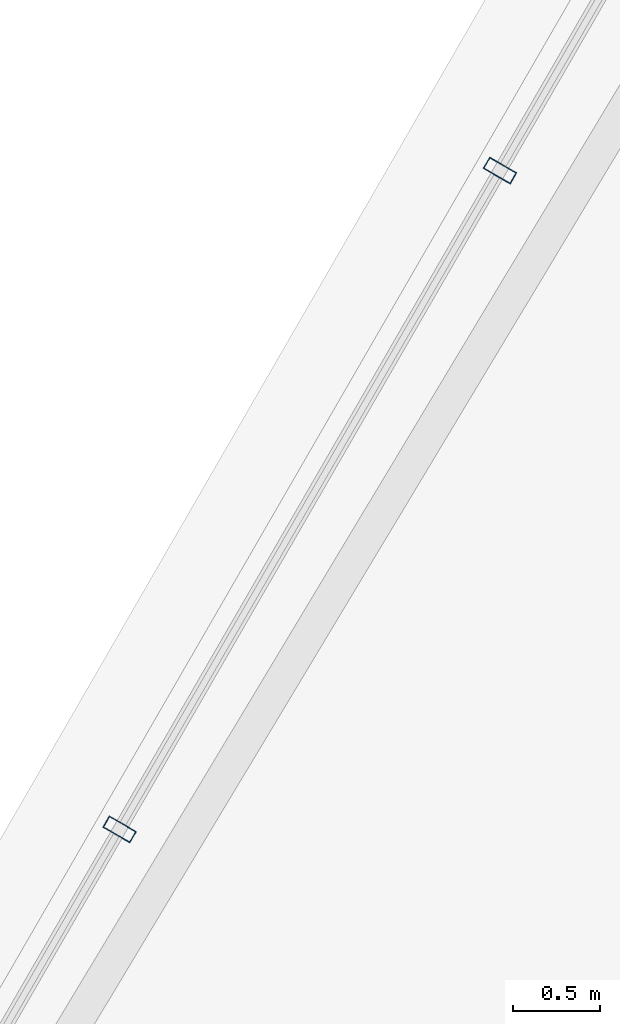
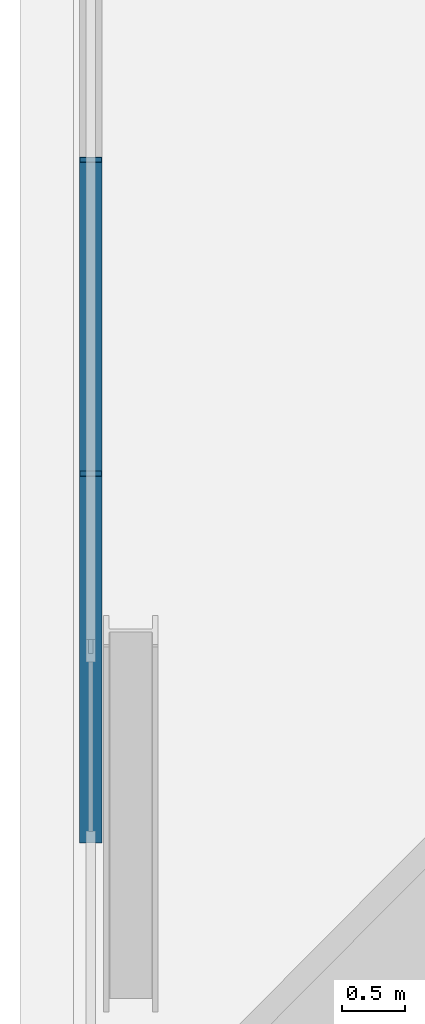
# One storey, part 12 of 29: 2 members, 1 element without a shape of its own.
"""IFC4 building model written with IfcOpenShell, lengths in metres."""

from ifc_helpers import new_model, si_unit, direction, frame, origin, origin_2d, place, context, subcontext, project, spatial, hollow_rectangle, extrude, material, layer, layer_set, material_profile, profile_set, type_object, element, aggregate, save


model = new_model("IFC4")

# Units and contexts
model_context = context("Model", 3, precision=1e-05, world=origin(), true_north=direction((0.0, 1.0)))
body_context = subcontext(model_context, "Body", "Model", "MODEL_VIEW")
ifc_project = project(units=[si_unit("LENGTHUNIT", "METRE"), si_unit("AREAUNIT", "SQUARE_METRE"), si_unit("VOLUMEUNIT", "CUBIC_METRE"), si_unit("PLANEANGLEUNIT", "RADIAN"), si_unit("MASSUNIT", "GRAM", prefix="KILO")], contexts=[model_context])

# Site, building, storey
site_placement = place(None, origin())
site = spatial("IfcSite", under=ifc_project, at=site_placement, CompositionType="ELEMENT")
building_placement = place(site_placement, origin())
building = spatial("IfcBuilding", under=site, at=building_placement, Name="Ndaravel Arena Tower", CompositionType="ELEMENT")
storey_placement = place(building_placement, frame((0.0, 0.0, 240.800048828125)))
storey = spatial("IfcBuildingStorey", under=building, at=storey_placement, Name="L58", CompositionType="ELEMENT", Elevation=240.800048828125)

# Curtain wall, members
ifc_material_1 = material(Name="Aluminium", Category="aluminium")
ifc_layer = layer(ifc_material_1, 0.179931640625)
ifc_layer_set = layer_set([ifc_layer], Name="Aluminium")
curtain_wall_type = type_object("IfcCurtainWallType", Name="CW-SYS-03", PredefinedType="NOTDEFINED", material=ifc_layer_set)
curtain_wall_placement = place(storey_placement, origin())
curtain_wall = element("IfcCurtainWall", 1, at=curtain_wall_placement, inside=storey, type_object=curtain_wall_type, Name="L58 Faceted Crystal Curtain Wall CW-L58-E05", PredefinedType="NOTDEFINED")
ifc_material_2 = material(Name="Aluminium", Category="aluminium")
ifc_material_profile = material_profile(ifc_material_2, hollow_rectangle(XDim=0.074951171875, YDim=0.179931640625, WallThickness=0.00390625, at=origin_2d()), Name="CW MULLION 75x180x4")
ifc_profile_set = profile_set([ifc_material_profile], Name="Aluminium")
member_type = type_object("IfcMemberType", Name="MEM-CW-MUL180", PredefinedType="MULLION", material=ifc_profile_set)
member_1_placement = place(storey_placement, frame((32.13232421875, 33.620361328125, 0.0), z_axis=(0.0, 0.0, 1.0), x_axis=(-0.5, -0.866025403784, 0.0)))
member_1 = element("IfcMember", 2, at=member_1_placement, type_object=member_type, Name="CW-L58-E05 Mullion 03", PredefinedType="MULLION", context=body_context, shape_type="SweptSolid", body=[
    extrude(hollow_rectangle(XDim=0.074951171875, YDim=0.179931640625, WallThickness=0.00390625, at=origin_2d()), origin(), (0.0, 0.0, 1.0), 3.579833984375),
])
member_2_placement = place(storey_placement, frame((29.9443359375, 29.830810546875, 0.0), z_axis=(0.0, 0.0, 1.0), x_axis=(-0.5, -0.866025403784, 0.0)))
member_2 = element("IfcMember", 3, at=member_2_placement, type_object=member_type, Name="CW-L58-E05 Mullion 04", PredefinedType="MULLION", context=body_context, shape_type="SweptSolid", body=[
    extrude(hollow_rectangle(XDim=0.074951171875, YDim=0.179931640625, WallThickness=0.00390625, at=origin_2d()), origin(), (0.0, 0.0, 1.0), 3.579833984375),
])
aggregate(curtain_wall, [member_1, member_2])

save(model, "model.ifc")
